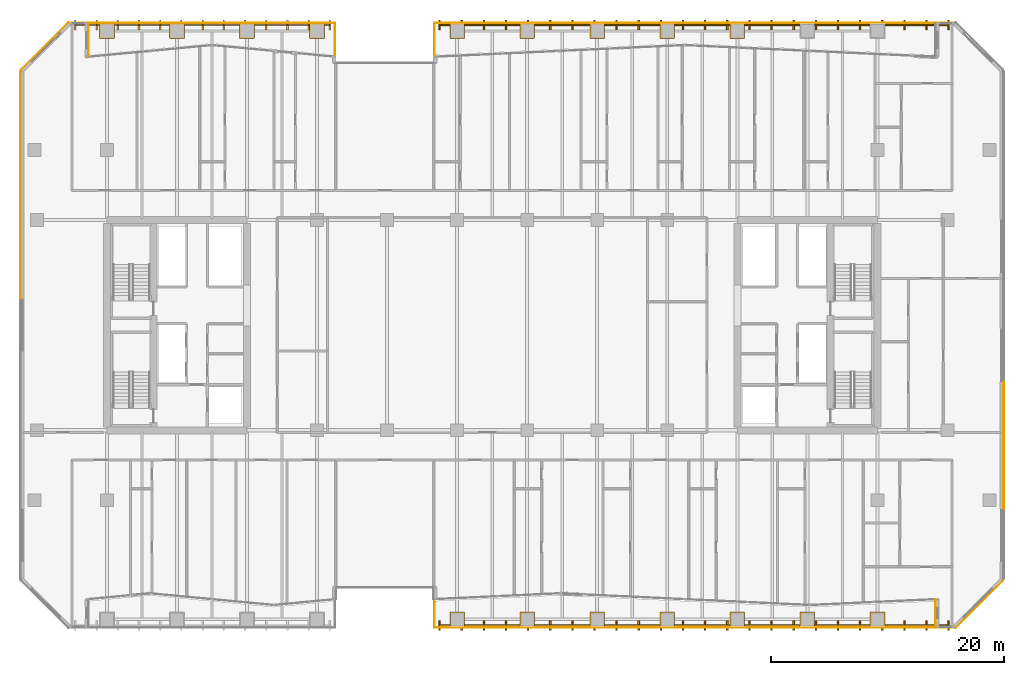
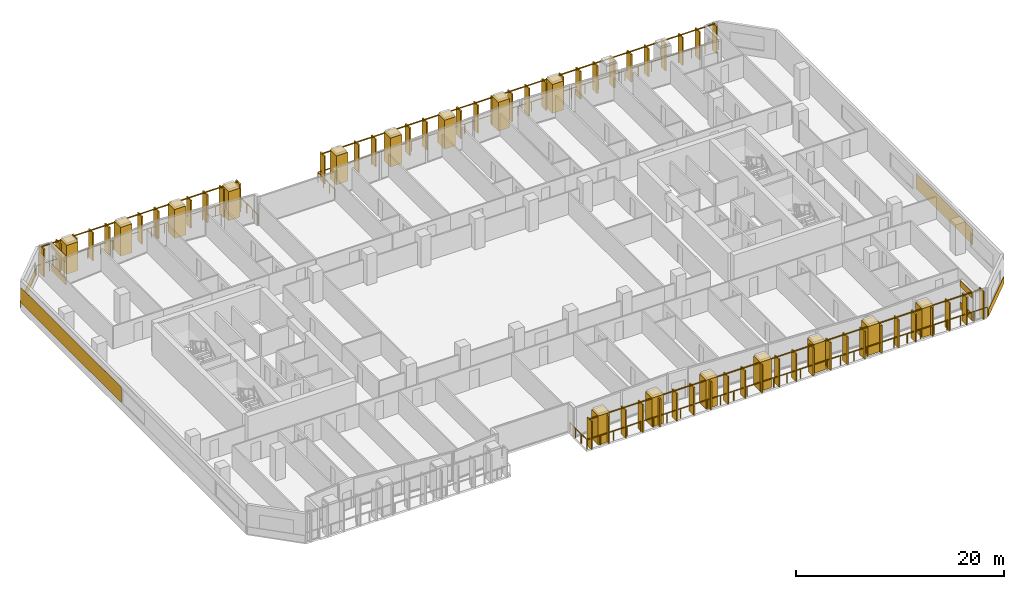
# One storey, part 29 of 31: 24 coverings, 6 railings.
"""IFC4 building model written with IfcOpenShell, lengths in metres."""

from ifc_helpers import new_model, si_unit, direction, frame, origin, origin_2d, place, context, subcontext, project, spatial, rectangle, extrude, material, layer, layer_set, type_object, element, save


model = new_model("IFC4")

# Units and contexts
model_context = context("Model", 3, precision=1e-05, world=origin(), true_north=direction((0.0, 1.0)))
body_context = subcontext(model_context, "Body", "Model", "MODEL_VIEW")
ifc_project = project(units=[si_unit("LENGTHUNIT", "METRE"), si_unit("AREAUNIT", "SQUARE_METRE"), si_unit("VOLUMEUNIT", "CUBIC_METRE"), si_unit("PLANEANGLEUNIT", "RADIAN"), si_unit("MASSUNIT", "GRAM", prefix="KILO")], contexts=[model_context])

# Site, building, storey
site_placement = place(None, origin())
site = spatial("IfcSite", under=ifc_project, at=site_placement, CompositionType="ELEMENT")
building_placement = place(site_placement, origin())
building = spatial("IfcBuilding", under=site, at=building_placement, Name="Tanjung Sevakor Pilgrim Tower", CompositionType="ELEMENT")
storey_placement = place(building_placement, frame((0.0, 0.0, 58.739990234375)))
storey = spatial("IfcBuildingStorey", under=building, at=storey_placement, Name="L16", CompositionType="ELEMENT", Elevation=58.739990234375)

# Coverings
ifc_material_1 = material(Name="Reconstructed Limestone Cladding", Category="masonry")
ifc_layer = layer(ifc_material_1, 0.044921875)
ifc_layer_set = layer_set([ifc_layer], Name="COV-CLAD-LIMESTONE")
covering_type = type_object("IfcCoveringType", Name="COV-CLAD-LIMESTONE", PredefinedType="CLADDING", material=ifc_layer_set)
covering_1_placement = place(storey_placement, frame((94.9775390625, 8.933349609375, 0.009765625), z_axis=(0.0, 0.0, 1.0), x_axis=(0.0, -1.0, 0.0)))
element("IfcCovering", 1, at=covering_1_placement, inside=storey, type_object=covering_type, Name="L16 Warm Limestone Sill Spandrel EW-L16-MAIN-14-1", PredefinedType="CLADDING", context=body_context, shape_type="SweptSolid", body=[
    extrude(rectangle(XDim=2.306640625, YDim=0.044921875, at=origin_2d()), origin(), (0.0, 0.0, 1.0), 0.840087890625),
])
covering_2_placement = place(storey_placement, frame((94.9775390625, 8.933349609375, 2.66015625), z_axis=(0.0, 0.0, 1.0), x_axis=(0.0, -1.0, 0.0)))
element("IfcCovering", 2, at=covering_2_placement, inside=storey, type_object=covering_type, Name="L16 Warm Limestone Cornice Spandrel EW-L16-MAIN-14", PredefinedType="CLADDING", context=body_context, shape_type="SweptSolid", body=[
    extrude(rectangle(XDim=2.3466796875, YDim=0.044921875, at=origin_2d()), origin(), (0.0, 0.0, 1.0), 0.739990234375),
])
covering_3_placement = place(storey_placement, frame((98.7158203125, 9.68408203125, 0.009765625), z_axis=(0.0, 0.0, 1.0), x_axis=(0.707106781187, 0.707106781187, 0.0)))
element("IfcCovering", 3, at=covering_3_placement, inside=storey, type_object=covering_type, Name="L16 Warm Limestone Sill Spandrel EW-CHM-L16-MAIN-15-1", PredefinedType="CLADDING", context=body_context, shape_type="SweptSolid", body=[
    extrude(rectangle(XDim=5.74365234375, YDim=0.044921875, at=origin_2d()), origin(), (0.0, 0.0, 1.0), 0.840087890625),
])
covering_4_placement = place(storey_placement, frame((100.822509765625, 23.28955078125, 0.85009765625), z_axis=(0.0, 0.0, 1.0), x_axis=(0.0, 1.0, 0.0)))
element("IfcCovering", 4, at=covering_4_placement, inside=storey, type_object=covering_type, Name="L16 Warm Limestone Pier Panel EW-L16-MAIN-17-1", PredefinedType="CLADDING", context=body_context, shape_type="SweptSolid", body=[
    extrude(rectangle(XDim=10.94091796875, YDim=0.044921875, at=origin_2d()), origin(), (0.0, 0.0, 1.0), 1.81005859375),
])
covering_5_placement = place(storey_placement, frame((22.422607421875, 58.01318359375, 0.009765625), z_axis=(0.0, 0.0, 1.0), x_axis=(0.0, 1.0, 0.0)))
element("IfcCovering", 5, at=covering_5_placement, inside=storey, type_object=covering_type, Name="L16 Warm Limestone Sill Spandrel EW-L16-MAIN-32-1", PredefinedType="CLADDING", context=body_context, shape_type="SweptSolid", body=[
    extrude(rectangle(XDim=2.813720703125, YDim=0.044921875, at=origin_2d()), origin(), (0.0, 0.0, 1.0), 0.840087890625),
])
covering_6_placement = place(storey_placement, frame((22.422607421875, 58.01318359375, 2.66015625), z_axis=(0.0, 0.0, 1.0), x_axis=(0.0, 1.0, 0.0)))
element("IfcCovering", 6, at=covering_6_placement, inside=storey, type_object=covering_type, Name="L16 Warm Limestone Cornice Spandrel EW-L16-MAIN-32", PredefinedType="CLADDING", context=body_context, shape_type="SweptSolid", body=[
    extrude(rectangle(XDim=2.853759765625, YDim=0.044921875, at=origin_2d()), origin(), (0.0, 0.0, 1.0), 0.739990234375),
])
covering_7_placement = place(storey_placement, frame((18.68408203125, 57.515869140625, 0.009765625), z_axis=(0.0, 0.0, 1.0), x_axis=(-0.707106781187, -0.707106781187, 0.0)))
element("IfcCovering", 7, at=covering_7_placement, inside=storey, type_object=covering_type, Name="L16 Warm Limestone Sill Spandrel EW-CHM-L16-MAIN-33-1", PredefinedType="CLADDING", context=body_context, shape_type="SweptSolid", body=[
    extrude(rectangle(XDim=5.74365234375, YDim=0.044921875, at=origin_2d()), origin(), (0.0, 0.0, 1.0), 0.840087890625),
])
covering_8_placement = place(storey_placement, frame((16.577392578125, 45.575927734375, 0.85009765625), z_axis=(0.0, 0.0, 1.0), x_axis=(0.0, -1.0, 0.0)))
element("IfcCovering", 8, at=covering_8_placement, inside=storey, type_object=covering_type, Name="L16 Warm Limestone Pier Panel EW-L16-MAIN-35-1", PredefinedType="CLADDING", context=body_context, shape_type="SweptSolid", body=[
    extrude(rectangle(XDim=19.451904296875, YDim=0.044921875, at=origin_2d()), origin(), (0.0, 0.0, 1.0), 1.81005859375),
])
for number, where, z_axis, x_axis, name in (
    (9, (24.0, 58.800048828125, 0.01025390625), (0.0, 0.0, 1.0), (1.0, 0.0, 0.0), "L16 Colonnade Pier Limestone Casing 26"),
    (10, (30.0, 58.800048828125, 0.01025390625), (0.0, 0.0, 1.0), (1.0, 0.0, 0.0), "L16 Colonnade Pier Limestone Casing 28"),
    (11, (36.0, 58.800048828125, 0.01025390625), (0.0, 0.0, 1.0), (1.0, 0.0, 0.0), "L16 Colonnade Pier Limestone Casing 30"),
    (12, (42.0, 58.800048828125, 0.01025390625), (0.0, 0.0, 1.0), (1.0, 0.0, 0.0), "L16 Colonnade Pier Limestone Casing 32"),
    (13, (54.0, 8.39990234375, 0.01025390625), (0.0, 0.0, 1.0), (1.0, 0.0, 0.0), "L16 Colonnade Pier Limestone Casing 33"),
    (14, (54.0, 58.800048828125, 0.01025390625), (0.0, 0.0, 1.0), (1.0, 0.0, 0.0), "L16 Colonnade Pier Limestone Casing 34"),
    (15, (60.0, 8.39990234375, 0.01025390625), (0.0, 0.0, 1.0), (1.0, 0.0, 0.0), "L16 Colonnade Pier Limestone Casing 35"),
    (16, (60.0, 58.800048828125, 0.01025390625), (0.0, 0.0, 1.0), (1.0, 0.0, 0.0), "L16 Colonnade Pier Limestone Casing 36"),
    (17, (66.0, 8.39990234375, 0.01025390625), (0.0, 0.0, 1.0), (1.0, 0.0, 0.0), "L16 Colonnade Pier Limestone Casing 37"),
    (18, (66.0, 58.800048828125, 0.01025390625), (0.0, 0.0, 1.0), (1.0, 0.0, 0.0), "L16 Colonnade Pier Limestone Casing 38"),
    (19, (72.0, 8.39990234375, 0.01025390625), (0.0, 0.0, 1.0), (1.0, 0.0, 0.0), "L16 Colonnade Pier Limestone Casing 39"),
    (20, (72.0, 58.800048828125, 0.01025390625), (0.0, 0.0, 1.0), (1.0, 0.0, 0.0), "L16 Colonnade Pier Limestone Casing 40"),
    (21, (78.0, 8.39990234375, 0.01025390625), (0.0, 0.0, 1.0), (1.0, 0.0, 0.0), "L16 Colonnade Pier Limestone Casing 41"),
    (22, (78.0, 58.800048828125, 0.01025390625), (0.0, 0.0, 1.0), (1.0, 0.0, 0.0), "L16 Colonnade Pier Limestone Casing 42"),
    (23, (84.0, 8.39990234375, 0.01025390625), (0.0, 0.0, 1.0), (1.0, 0.0, 0.0), "L16 Colonnade Pier Limestone Casing 43"),
    (24, (90.0, 8.39990234375, 0.01025390625), (0.0, 0.0, 1.0), (1.0, 0.0, 0.0), "L16 Colonnade Pier Limestone Casing 45"),
):
    element("IfcCovering", number, at=place(storey_placement, frame(where, z_axis=z_axis, x_axis=x_axis)), inside=storey, type_object=covering_type, Name=name, PredefinedType="CLADDING", context=body_context, shape_type="SweptSolid", body=[
        extrude(rectangle(XDim=1.260009765625, YDim=1.260009765625, at=origin_2d()), origin(), (0.0, 0.0, 1.0), 3.389892578125),
    ])

# Railings
ifc_material_2 = material(Name="Steel S355J2", Category="steel")
railing_type_1 = type_object("IfcRailingType", Name="RL-EXT-GUARD", PredefinedType="GUARDRAIL", material=ifc_material_2)
railing_1_placement = place(storey_placement, frame((20.800048828125, 59.5, 0.0)))
element("IfcRailing", 25, at=railing_1_placement, inside=storey, type_object=railing_type_1, Name="L16 S-Curve Gap Guardrail NW", PredefinedType="GUARDRAIL", context=body_context, shape_type="SweptSolid", body=[
    extrude(rectangle(XDim=0.0479, YDim=0.0479), frame((0.0, 0.0, 1.1259765625), z_axis=(1.0, 0.0, 0.0), x_axis=(0.0, 1.0, 0.0)), (0.0, 0.0, 1.0), 22.719970703125),
    extrude(rectangle(XDim=0.0479, YDim=0.0479), frame((22.719970703125, 0.0, 1.1259765625), z_axis=(0.0, -1.0, 0.0), x_axis=(1.0, 0.0, 0.0)), (0.0, 0.0, 1.0), 3.300048828125),
    extrude(rectangle(XDim=0.042, YDim=0.042), origin(), (0.0, 0.0, 1.0), 1.101806640625),
    extrude(rectangle(XDim=0.042, YDim=0.042), frame((1.419921875, 0.0, 0.0)), (0.0, 0.0, 1.0), 1.101806640625),
    extrude(rectangle(XDim=0.042, YDim=0.042), frame((2.840087890625, 0.0, 0.0)), (0.0, 0.0, 1.0), 1.101806640625),
    extrude(rectangle(XDim=0.042, YDim=0.042), frame((4.260009765625, 0.0, 0.0)), (0.0, 0.0, 1.0), 1.101806640625),
    extrude(rectangle(XDim=0.042, YDim=0.042), frame((5.679931640625, 0.0, 0.0)), (0.0, 0.0, 1.0), 1.101806640625),
    extrude(rectangle(XDim=0.042, YDim=0.042), frame((7.10009765625, 0.0, 0.0)), (0.0, 0.0, 1.0), 1.101806640625),
    extrude(rectangle(XDim=0.042, YDim=0.042), frame((8.52001953125, 0.0, 0.0)), (0.0, 0.0, 1.0), 1.101806640625),
    extrude(rectangle(XDim=0.042, YDim=0.042), frame((9.93994140625, 0.0, 0.0)), (0.0, 0.0, 1.0), 1.101806640625),
    extrude(rectangle(XDim=0.042, YDim=0.042), frame((11.35986328125, 0.0, 0.0)), (0.0, 0.0, 1.0), 1.101806640625),
    extrude(rectangle(XDim=0.042, YDim=0.042), frame((12.780029296875, 0.0, 0.0)), (0.0, 0.0, 1.0), 1.101806640625),
    extrude(rectangle(XDim=0.042, YDim=0.042), frame((14.199951171875, 0.0, 0.0)), (0.0, 0.0, 1.0), 1.101806640625),
    extrude(rectangle(XDim=0.042, YDim=0.042), frame((15.619873046875, 0.0, 0.0)), (0.0, 0.0, 1.0), 1.101806640625),
    extrude(rectangle(XDim=0.042, YDim=0.042), frame((17.0400390625, 0.0, 0.0)), (0.0, 0.0, 1.0), 1.101806640625),
    extrude(rectangle(XDim=0.042, YDim=0.042), frame((18.4599609375, 0.0, 0.0)), (0.0, 0.0, 1.0), 1.101806640625),
    extrude(rectangle(XDim=0.042, YDim=0.042), frame((19.8798828125, 0.0, 0.0)), (0.0, 0.0, 1.0), 1.101806640625),
    extrude(rectangle(XDim=0.042, YDim=0.042), frame((21.300048828125, 0.0, 0.0)), (0.0, 0.0, 1.0), 1.101806640625),
    extrude(rectangle(XDim=0.042, YDim=0.042), frame((22.719970703125, 0.0, 0.0)), (0.0, 0.0, 1.0), 1.101806640625),
    extrude(rectangle(XDim=0.042, YDim=0.042), frame((22.719970703125, -1.10009765625, 0.0)), (0.0, 0.0, 1.0), 1.101806640625),
    extrude(rectangle(XDim=0.042, YDim=0.042), frame((22.719970703125, -2.199951171875, 0.0)), (0.0, 0.0, 1.0), 1.101806640625),
    extrude(rectangle(XDim=0.042, YDim=0.042), frame((22.719970703125, -3.300048828125, 0.0)), (0.0, 0.0, 1.0), 1.101806640625),
])
railing_2_placement = place(storey_placement, frame((52.080078125, 11.0, 0.0)))
element("IfcRailing", 26, at=railing_2_placement, inside=storey, type_object=railing_type_1, Name="L16 S-Curve Gap Guardrail SE", PredefinedType="GUARDRAIL", context=body_context, shape_type="SweptSolid", body=[
    extrude(rectangle(XDim=0.0479, YDim=0.0479), frame((0.0, 0.0, 1.1259765625), z_axis=(0.0, -1.0, 0.0), x_axis=(1.0, 0.0, 0.0)), (0.0, 0.0, 1.0), 3.300048828125),
    extrude(rectangle(XDim=0.0479, YDim=0.0479), frame((0.0, -3.300048828125, 1.1259765625), z_axis=(1.0, 0.0, 0.0), x_axis=(0.0, 1.0, 0.0)), (0.0, 0.0, 1.0), 44.52001953125),
    extrude(rectangle(XDim=0.042, YDim=0.042), origin(), (0.0, 0.0, 1.0), 1.101806640625),
    extrude(rectangle(XDim=0.042, YDim=0.042), frame((0.0, -1.10009765625, 0.0)), (0.0, 0.0, 1.0), 1.101806640625),
    extrude(rectangle(XDim=0.042, YDim=0.042), frame((0.0, -2.199951171875, 0.0)), (0.0, 0.0, 1.0), 1.101806640625),
    extrude(rectangle(XDim=0.042, YDim=0.042), frame((0.0, -3.300048828125, 0.0)), (0.0, 0.0, 1.0), 1.101806640625),
    extrude(rectangle(XDim=0.042, YDim=0.042), frame((1.48388671875, -3.300048828125, 0.0)), (0.0, 0.0, 1.0), 1.101806640625),
    extrude(rectangle(XDim=0.042, YDim=0.042), frame((2.968017578125, -3.300048828125, 0.0)), (0.0, 0.0, 1.0), 1.101806640625),
    extrude(rectangle(XDim=0.042, YDim=0.042), frame((4.451904296875, -3.300048828125, 0.0)), (0.0, 0.0, 1.0), 1.101806640625),
    extrude(rectangle(XDim=0.042, YDim=0.042), frame((5.93603515625, -3.300048828125, 0.0)), (0.0, 0.0, 1.0), 1.101806640625),
    extrude(rectangle(XDim=0.042, YDim=0.042), frame((7.419921875, -3.300048828125, 0.0)), (0.0, 0.0, 1.0), 1.101806640625),
    extrude(rectangle(XDim=0.042, YDim=0.042), frame((8.904052734375, -3.300048828125, 0.0)), (0.0, 0.0, 1.0), 1.101806640625),
    extrude(rectangle(XDim=0.042, YDim=0.042), frame((10.387939453125, -3.300048828125, 0.0)), (0.0, 0.0, 1.0), 1.101806640625),
    extrude(rectangle(XDim=0.042, YDim=0.042), frame((11.8720703125, -3.300048828125, 0.0)), (0.0, 0.0, 1.0), 1.101806640625),
    extrude(rectangle(XDim=0.042, YDim=0.042), frame((13.35595703125, -3.300048828125, 0.0)), (0.0, 0.0, 1.0), 1.101806640625),
    extrude(rectangle(XDim=0.042, YDim=0.042), frame((14.840087890625, -3.300048828125, 0.0)), (0.0, 0.0, 1.0), 1.101806640625),
    extrude(rectangle(XDim=0.042, YDim=0.042), frame((16.323974609375, -3.300048828125, 0.0)), (0.0, 0.0, 1.0), 1.101806640625),
    extrude(rectangle(XDim=0.042, YDim=0.042), frame((17.80810546875, -3.300048828125, 0.0)), (0.0, 0.0, 1.0), 1.101806640625),
    extrude(rectangle(XDim=0.042, YDim=0.042), frame((19.2919921875, -3.300048828125, 0.0)), (0.0, 0.0, 1.0), 1.101806640625),
    extrude(rectangle(XDim=0.042, YDim=0.042), frame((20.776123046875, -3.300048828125, 0.0)), (0.0, 0.0, 1.0), 1.101806640625),
    extrude(rectangle(XDim=0.042, YDim=0.042), frame((22.260009765625, -3.300048828125, 0.0)), (0.0, 0.0, 1.0), 1.101806640625),
    extrude(rectangle(XDim=0.042, YDim=0.042), frame((23.743896484375, -3.300048828125, 0.0)), (0.0, 0.0, 1.0), 1.101806640625),
    extrude(rectangle(XDim=0.042, YDim=0.042), frame((25.22802734375, -3.300048828125, 0.0)), (0.0, 0.0, 1.0), 1.101806640625),
    extrude(rectangle(XDim=0.042, YDim=0.042), frame((26.7119140625, -3.300048828125, 0.0)), (0.0, 0.0, 1.0), 1.101806640625),
    extrude(rectangle(XDim=0.042, YDim=0.042), frame((28.196044921875, -3.300048828125, 0.0)), (0.0, 0.0, 1.0), 1.101806640625),
    extrude(rectangle(XDim=0.042, YDim=0.042), frame((29.679931640625, -3.300048828125, 0.0)), (0.0, 0.0, 1.0), 1.101806640625),
    extrude(rectangle(XDim=0.042, YDim=0.042), frame((31.1640625, -3.300048828125, 0.0)), (0.0, 0.0, 1.0), 1.101806640625),
    extrude(rectangle(XDim=0.042, YDim=0.042), frame((32.64794921875, -3.300048828125, 0.0)), (0.0, 0.0, 1.0), 1.101806640625),
    extrude(rectangle(XDim=0.042, YDim=0.042), frame((34.132080078125, -3.300048828125, 0.0)), (0.0, 0.0, 1.0), 1.101806640625),
    extrude(rectangle(XDim=0.042, YDim=0.042), frame((35.615966796875, -3.300048828125, 0.0)), (0.0, 0.0, 1.0), 1.101806640625),
    extrude(rectangle(XDim=0.042, YDim=0.042), frame((37.10009765625, -3.300048828125, 0.0)), (0.0, 0.0, 1.0), 1.101806640625),
    extrude(rectangle(XDim=0.042, YDim=0.042), frame((38.583984375, -3.300048828125, 0.0)), (0.0, 0.0, 1.0), 1.101806640625),
    extrude(rectangle(XDim=0.042, YDim=0.042), frame((40.068115234375, -3.300048828125, 0.0)), (0.0, 0.0, 1.0), 1.101806640625),
    extrude(rectangle(XDim=0.042, YDim=0.042), frame((41.552001953125, -3.300048828125, 0.0)), (0.0, 0.0, 1.0), 1.101806640625),
    extrude(rectangle(XDim=0.042, YDim=0.042), frame((43.0361328125, -3.300048828125, 0.0)), (0.0, 0.0, 1.0), 1.101806640625),
    extrude(rectangle(XDim=0.042, YDim=0.042), frame((44.52001953125, -3.300048828125, 0.0)), (0.0, 0.0, 1.0), 1.101806640625),
])
railing_3_placement = place(storey_placement, frame((52.080078125, 56.199951171875, 0.0)))
element("IfcRailing", 27, at=railing_3_placement, inside=storey, type_object=railing_type_1, Name="L16 S-Curve Gap Guardrail NE", PredefinedType="GUARDRAIL", context=body_context, shape_type="SweptSolid", body=[
    extrude(rectangle(XDim=0.0479, YDim=0.0479), frame((0.0, 0.0, 1.1259765625), z_axis=(0.0, 1.0, 0.0), x_axis=(-1.0, 0.0, 0.0)), (0.0, 0.0, 1.0), 3.300048828125),
    extrude(rectangle(XDim=0.0479, YDim=0.0479), frame((0.0, 3.300048828125, 1.1259765625), z_axis=(1.0, 0.0, 0.0), x_axis=(0.0, 1.0, 0.0)), (0.0, 0.0, 1.0), 44.52001953125),
    extrude(rectangle(XDim=0.042, YDim=0.042), origin(), (0.0, 0.0, 1.0), 1.101806640625),
    extrude(rectangle(XDim=0.042, YDim=0.042), frame((0.0, 1.10009765625, 0.0)), (0.0, 0.0, 1.0), 1.101806640625),
    extrude(rectangle(XDim=0.042, YDim=0.042), frame((0.0, 2.199951171875, 0.0)), (0.0, 0.0, 1.0), 1.101806640625),
    extrude(rectangle(XDim=0.042, YDim=0.042), frame((0.0, 3.300048828125, 0.0)), (0.0, 0.0, 1.0), 1.101806640625),
    extrude(rectangle(XDim=0.042, YDim=0.042), frame((1.48388671875, 3.300048828125, 0.0)), (0.0, 0.0, 1.0), 1.101806640625),
    extrude(rectangle(XDim=0.042, YDim=0.042), frame((2.968017578125, 3.300048828125, 0.0)), (0.0, 0.0, 1.0), 1.101806640625),
    extrude(rectangle(XDim=0.042, YDim=0.042), frame((4.451904296875, 3.300048828125, 0.0)), (0.0, 0.0, 1.0), 1.101806640625),
    extrude(rectangle(XDim=0.042, YDim=0.042), frame((5.93603515625, 3.300048828125, 0.0)), (0.0, 0.0, 1.0), 1.101806640625),
    extrude(rectangle(XDim=0.042, YDim=0.042), frame((7.419921875, 3.300048828125, 0.0)), (0.0, 0.0, 1.0), 1.101806640625),
    extrude(rectangle(XDim=0.042, YDim=0.042), frame((8.904052734375, 3.300048828125, 0.0)), (0.0, 0.0, 1.0), 1.101806640625),
    extrude(rectangle(XDim=0.042, YDim=0.042), frame((10.387939453125, 3.300048828125, 0.0)), (0.0, 0.0, 1.0), 1.101806640625),
    extrude(rectangle(XDim=0.042, YDim=0.042), frame((11.8720703125, 3.300048828125, 0.0)), (0.0, 0.0, 1.0), 1.101806640625),
    extrude(rectangle(XDim=0.042, YDim=0.042), frame((13.35595703125, 3.300048828125, 0.0)), (0.0, 0.0, 1.0), 1.101806640625),
    extrude(rectangle(XDim=0.042, YDim=0.042), frame((14.840087890625, 3.300048828125, 0.0)), (0.0, 0.0, 1.0), 1.101806640625),
    extrude(rectangle(XDim=0.042, YDim=0.042), frame((16.323974609375, 3.300048828125, 0.0)), (0.0, 0.0, 1.0), 1.101806640625),
    extrude(rectangle(XDim=0.042, YDim=0.042), frame((17.80810546875, 3.300048828125, 0.0)), (0.0, 0.0, 1.0), 1.101806640625),
    extrude(rectangle(XDim=0.042, YDim=0.042), frame((19.2919921875, 3.300048828125, 0.0)), (0.0, 0.0, 1.0), 1.101806640625),
    extrude(rectangle(XDim=0.042, YDim=0.042), frame((20.776123046875, 3.300048828125, 0.0)), (0.0, 0.0, 1.0), 1.101806640625),
    extrude(rectangle(XDim=0.042, YDim=0.042), frame((22.260009765625, 3.300048828125, 0.0)), (0.0, 0.0, 1.0), 1.101806640625),
    extrude(rectangle(XDim=0.042, YDim=0.042), frame((23.743896484375, 3.300048828125, 0.0)), (0.0, 0.0, 1.0), 1.101806640625),
    extrude(rectangle(XDim=0.042, YDim=0.042), frame((25.22802734375, 3.300048828125, 0.0)), (0.0, 0.0, 1.0), 1.101806640625),
    extrude(rectangle(XDim=0.042, YDim=0.042), frame((26.7119140625, 3.300048828125, 0.0)), (0.0, 0.0, 1.0), 1.101806640625),
    extrude(rectangle(XDim=0.042, YDim=0.042), frame((28.196044921875, 3.300048828125, 0.0)), (0.0, 0.0, 1.0), 1.101806640625),
    extrude(rectangle(XDim=0.042, YDim=0.042), frame((29.679931640625, 3.300048828125, 0.0)), (0.0, 0.0, 1.0), 1.101806640625),
    extrude(rectangle(XDim=0.042, YDim=0.042), frame((31.1640625, 3.300048828125, 0.0)), (0.0, 0.0, 1.0), 1.101806640625),
    extrude(rectangle(XDim=0.042, YDim=0.042), frame((32.64794921875, 3.300048828125, 0.0)), (0.0, 0.0, 1.0), 1.101806640625),
    extrude(rectangle(XDim=0.042, YDim=0.042), frame((34.132080078125, 3.300048828125, 0.0)), (0.0, 0.0, 1.0), 1.101806640625),
    extrude(rectangle(XDim=0.042, YDim=0.042), frame((35.615966796875, 3.300048828125, 0.0)), (0.0, 0.0, 1.0), 1.101806640625),
    extrude(rectangle(XDim=0.042, YDim=0.042), frame((37.10009765625, 3.300048828125, 0.0)), (0.0, 0.0, 1.0), 1.101806640625),
    extrude(rectangle(XDim=0.042, YDim=0.042), frame((38.583984375, 3.300048828125, 0.0)), (0.0, 0.0, 1.0), 1.101806640625),
    extrude(rectangle(XDim=0.042, YDim=0.042), frame((40.068115234375, 3.300048828125, 0.0)), (0.0, 0.0, 1.0), 1.101806640625),
    extrude(rectangle(XDim=0.042, YDim=0.042), frame((41.552001953125, 3.300048828125, 0.0)), (0.0, 0.0, 1.0), 1.101806640625),
    extrude(rectangle(XDim=0.042, YDim=0.042), frame((43.0361328125, 3.300048828125, 0.0)), (0.0, 0.0, 1.0), 1.101806640625),
    extrude(rectangle(XDim=0.042, YDim=0.042), frame((44.52001953125, 3.300048828125, 0.0)), (0.0, 0.0, 1.0), 1.101806640625),
])
ifc_material_3 = material(Name="Anodised Bronze Aluminium 6063-T6", Category="aluminium")
railing_type_2 = type_object("IfcRailingType", Name="RL-FIN-SCREEN", PredefinedType="BALUSTRADE", material=ifc_material_3)
railing_4_placement = place(storey_placement, frame((21.300048828125, 59.320068359375, 0.0)))
element("IfcRailing", 28, at=railing_4_placement, inside=storey, type_object=railing_type_2, Name="L16 Vertical Bronze-Gold Solar Fin Screen FN-SCGAP-L16-NW-1", PredefinedType="BALUSTRADE", context=body_context, shape_type="SweptSolid", body=[
    extrude(rectangle(XDim=0.105, YDim=0.105), frame((0.0, 0.0, 3.317626953125), z_axis=(1.0, 0.0, 0.0), x_axis=(0.0, 1.0, 0.0)), (0.0, 0.0, 1.0), 21.800048828125),
    extrude(rectangle(XDim=0.14, YDim=0.85), origin(), (0.0, 0.0, 1.0), 3.26513671875),
    extrude(rectangle(XDim=0.14, YDim=0.85), frame((1.816650390625, 0.0, 0.0)), (0.0, 0.0, 1.0), 3.26513671875),
    extrude(rectangle(XDim=0.14, YDim=0.85), frame((3.63330078125, 0.0, 0.0)), (0.0, 0.0, 1.0), 3.26513671875),
    extrude(rectangle(XDim=0.14, YDim=0.85), frame((5.449951171875, 0.0, 0.0)), (0.0, 0.0, 1.0), 3.26513671875),
    extrude(rectangle(XDim=0.14, YDim=0.85), frame((7.2666015625, 0.0, 0.0)), (0.0, 0.0, 1.0), 3.26513671875),
    extrude(rectangle(XDim=0.14, YDim=0.85), frame((9.083251953125, 0.0, 0.0)), (0.0, 0.0, 1.0), 3.26513671875),
    extrude(rectangle(XDim=0.14, YDim=0.85), frame((10.89990234375, 0.0, 0.0)), (0.0, 0.0, 1.0), 3.26513671875),
    extrude(rectangle(XDim=0.14, YDim=0.85), frame((12.716796875, 0.0, 0.0)), (0.0, 0.0, 1.0), 3.26513671875),
    extrude(rectangle(XDim=0.14, YDim=0.85), frame((14.533447265625, 0.0, 0.0)), (0.0, 0.0, 1.0), 3.26513671875),
    extrude(rectangle(XDim=0.14, YDim=0.85), frame((16.35009765625, 0.0, 0.0)), (0.0, 0.0, 1.0), 3.26513671875),
    extrude(rectangle(XDim=0.14, YDim=0.85), frame((18.166748046875, 0.0, 0.0)), (0.0, 0.0, 1.0), 3.26513671875),
    extrude(rectangle(XDim=0.14, YDim=0.85), frame((19.9833984375, 0.0, 0.0)), (0.0, 0.0, 1.0), 3.26513671875),
    extrude(rectangle(XDim=0.14, YDim=0.85), frame((21.800048828125, 0.0, 0.0)), (0.0, 0.0, 1.0), 3.26513671875),
])
railing_5_placement = place(storey_placement, frame((52.5, 7.8798828125, 0.0)))
element("IfcRailing", 29, at=railing_5_placement, inside=storey, type_object=railing_type_2, Name="L16 Vertical Bronze-Gold Solar Fin Screen FN-SCGAP-L16-SE-1", PredefinedType="BALUSTRADE", context=body_context, shape_type="SweptSolid", body=[
    extrude(rectangle(XDim=0.105, YDim=0.105), frame((0.0, 0.0, 3.317626953125), z_axis=(1.0, 0.0, 0.0), x_axis=(0.0, 1.0, 0.0)), (0.0, 0.0, 1.0), 43.60009765625),
    extrude(rectangle(XDim=0.14, YDim=0.85), origin(), (0.0, 0.0, 1.0), 3.26513671875),
    extrude(rectangle(XDim=0.14, YDim=0.85), frame((1.895751953125, 0.0, 0.0)), (0.0, 0.0, 1.0), 3.26513671875),
    extrude(rectangle(XDim=0.14, YDim=0.85), frame((3.791259765625, 0.0, 0.0)), (0.0, 0.0, 1.0), 3.26513671875),
    extrude(rectangle(XDim=0.14, YDim=0.85), frame((5.68701171875, 0.0, 0.0)), (0.0, 0.0, 1.0), 3.26513671875),
    extrude(rectangle(XDim=0.14, YDim=0.85), frame((7.58251953125, 0.0, 0.0)), (0.0, 0.0, 1.0), 3.26513671875),
    extrude(rectangle(XDim=0.14, YDim=0.85), frame((9.478271484375, 0.0, 0.0)), (0.0, 0.0, 1.0), 3.26513671875),
    extrude(rectangle(XDim=0.14, YDim=0.85), frame((11.3740234375, 0.0, 0.0)), (0.0, 0.0, 1.0), 3.26513671875),
    extrude(rectangle(XDim=0.14, YDim=0.85), frame((13.26953125, 0.0, 0.0)), (0.0, 0.0, 1.0), 3.26513671875),
    extrude(rectangle(XDim=0.14, YDim=0.85), frame((15.165283203125, 0.0, 0.0)), (0.0, 0.0, 1.0), 3.26513671875),
    extrude(rectangle(XDim=0.14, YDim=0.85), frame((17.060791015625, 0.0, 0.0)), (0.0, 0.0, 1.0), 3.26513671875),
    extrude(rectangle(XDim=0.14, YDim=0.85), frame((18.95654296875, 0.0, 0.0)), (0.0, 0.0, 1.0), 3.26513671875),
    extrude(rectangle(XDim=0.14, YDim=0.85), frame((20.852294921875, 0.0, 0.0)), (0.0, 0.0, 1.0), 3.26513671875),
    extrude(rectangle(XDim=0.14, YDim=0.85), frame((22.747802734375, 0.0, 0.0)), (0.0, 0.0, 1.0), 3.26513671875),
    extrude(rectangle(XDim=0.14, YDim=0.85), frame((24.6435546875, 0.0, 0.0)), (0.0, 0.0, 1.0), 3.26513671875),
    extrude(rectangle(XDim=0.14, YDim=0.85), frame((26.539306640625, 0.0, 0.0)), (0.0, 0.0, 1.0), 3.26513671875),
    extrude(rectangle(XDim=0.14, YDim=0.85), frame((28.434814453125, 0.0, 0.0)), (0.0, 0.0, 1.0), 3.26513671875),
    extrude(rectangle(XDim=0.14, YDim=0.85), frame((30.33056640625, 0.0, 0.0)), (0.0, 0.0, 1.0), 3.26513671875),
    extrude(rectangle(XDim=0.14, YDim=0.85), frame((32.22607421875, 0.0, 0.0)), (0.0, 0.0, 1.0), 3.26513671875),
    extrude(rectangle(XDim=0.14, YDim=0.85), frame((34.121826171875, 0.0, 0.0)), (0.0, 0.0, 1.0), 3.26513671875),
    extrude(rectangle(XDim=0.14, YDim=0.85), frame((36.017578125, 0.0, 0.0)), (0.0, 0.0, 1.0), 3.26513671875),
    extrude(rectangle(XDim=0.14, YDim=0.85), frame((37.9130859375, 0.0, 0.0)), (0.0, 0.0, 1.0), 3.26513671875),
    extrude(rectangle(XDim=0.14, YDim=0.85), frame((39.808837890625, 0.0, 0.0)), (0.0, 0.0, 1.0), 3.26513671875),
    extrude(rectangle(XDim=0.14, YDim=0.85), frame((41.704345703125, 0.0, 0.0)), (0.0, 0.0, 1.0), 3.26513671875),
    extrude(rectangle(XDim=0.14, YDim=0.85), frame((43.60009765625, 0.0, 0.0)), (0.0, 0.0, 1.0), 3.26513671875),
])
railing_6_placement = place(storey_placement, frame((52.5, 59.320068359375, 0.0)))
element("IfcRailing", 30, at=railing_6_placement, inside=storey, type_object=railing_type_2, Name="L16 Vertical Bronze-Gold Solar Fin Screen FN-SCGAP-L16-NE-1", PredefinedType="BALUSTRADE", context=body_context, shape_type="SweptSolid", body=[
    extrude(rectangle(XDim=0.105, YDim=0.105), frame((0.0, 0.0, 3.317626953125), z_axis=(1.0, 0.0, 0.0), x_axis=(0.0, 1.0, 0.0)), (0.0, 0.0, 1.0), 43.60009765625),
    extrude(rectangle(XDim=0.14, YDim=0.85), origin(), (0.0, 0.0, 1.0), 3.26513671875),
    extrude(rectangle(XDim=0.14, YDim=0.85), frame((1.895751953125, 0.0, 0.0)), (0.0, 0.0, 1.0), 3.26513671875),
    extrude(rectangle(XDim=0.14, YDim=0.85), frame((3.791259765625, 0.0, 0.0)), (0.0, 0.0, 1.0), 3.26513671875),
    extrude(rectangle(XDim=0.14, YDim=0.85), frame((5.68701171875, 0.0, 0.0)), (0.0, 0.0, 1.0), 3.26513671875),
    extrude(rectangle(XDim=0.14, YDim=0.85), frame((7.58251953125, 0.0, 0.0)), (0.0, 0.0, 1.0), 3.26513671875),
    extrude(rectangle(XDim=0.14, YDim=0.85), frame((9.478271484375, 0.0, 0.0)), (0.0, 0.0, 1.0), 3.26513671875),
    extrude(rectangle(XDim=0.14, YDim=0.85), frame((11.3740234375, 0.0, 0.0)), (0.0, 0.0, 1.0), 3.26513671875),
    extrude(rectangle(XDim=0.14, YDim=0.85), frame((13.26953125, 0.0, 0.0)), (0.0, 0.0, 1.0), 3.26513671875),
    extrude(rectangle(XDim=0.14, YDim=0.85), frame((15.165283203125, 0.0, 0.0)), (0.0, 0.0, 1.0), 3.26513671875),
    extrude(rectangle(XDim=0.14, YDim=0.85), frame((17.060791015625, 0.0, 0.0)), (0.0, 0.0, 1.0), 3.26513671875),
    extrude(rectangle(XDim=0.14, YDim=0.85), frame((18.95654296875, 0.0, 0.0)), (0.0, 0.0, 1.0), 3.26513671875),
    extrude(rectangle(XDim=0.14, YDim=0.85), frame((20.852294921875, 0.0, 0.0)), (0.0, 0.0, 1.0), 3.26513671875),
    extrude(rectangle(XDim=0.14, YDim=0.85), frame((22.747802734375, 0.0, 0.0)), (0.0, 0.0, 1.0), 3.26513671875),
    extrude(rectangle(XDim=0.14, YDim=0.85), frame((24.6435546875, 0.0, 0.0)), (0.0, 0.0, 1.0), 3.26513671875),
    extrude(rectangle(XDim=0.14, YDim=0.85), frame((26.539306640625, 0.0, 0.0)), (0.0, 0.0, 1.0), 3.26513671875),
    extrude(rectangle(XDim=0.14, YDim=0.85), frame((28.434814453125, 0.0, 0.0)), (0.0, 0.0, 1.0), 3.26513671875),
    extrude(rectangle(XDim=0.14, YDim=0.85), frame((30.33056640625, 0.0, 0.0)), (0.0, 0.0, 1.0), 3.26513671875),
    extrude(rectangle(XDim=0.14, YDim=0.85), frame((32.22607421875, 0.0, 0.0)), (0.0, 0.0, 1.0), 3.26513671875),
    extrude(rectangle(XDim=0.14, YDim=0.85), frame((34.121826171875, 0.0, 0.0)), (0.0, 0.0, 1.0), 3.26513671875),
    extrude(rectangle(XDim=0.14, YDim=0.85), frame((36.017578125, 0.0, 0.0)), (0.0, 0.0, 1.0), 3.26513671875),
    extrude(rectangle(XDim=0.14, YDim=0.85), frame((37.9130859375, 0.0, 0.0)), (0.0, 0.0, 1.0), 3.26513671875),
    extrude(rectangle(XDim=0.14, YDim=0.85), frame((39.808837890625, 0.0, 0.0)), (0.0, 0.0, 1.0), 3.26513671875),
    extrude(rectangle(XDim=0.14, YDim=0.85), frame((41.704345703125, 0.0, 0.0)), (0.0, 0.0, 1.0), 3.26513671875),
    extrude(rectangle(XDim=0.14, YDim=0.85), frame((43.60009765625, 0.0, 0.0)), (0.0, 0.0, 1.0), 3.26513671875),
])

save(model, "model.ifc")
